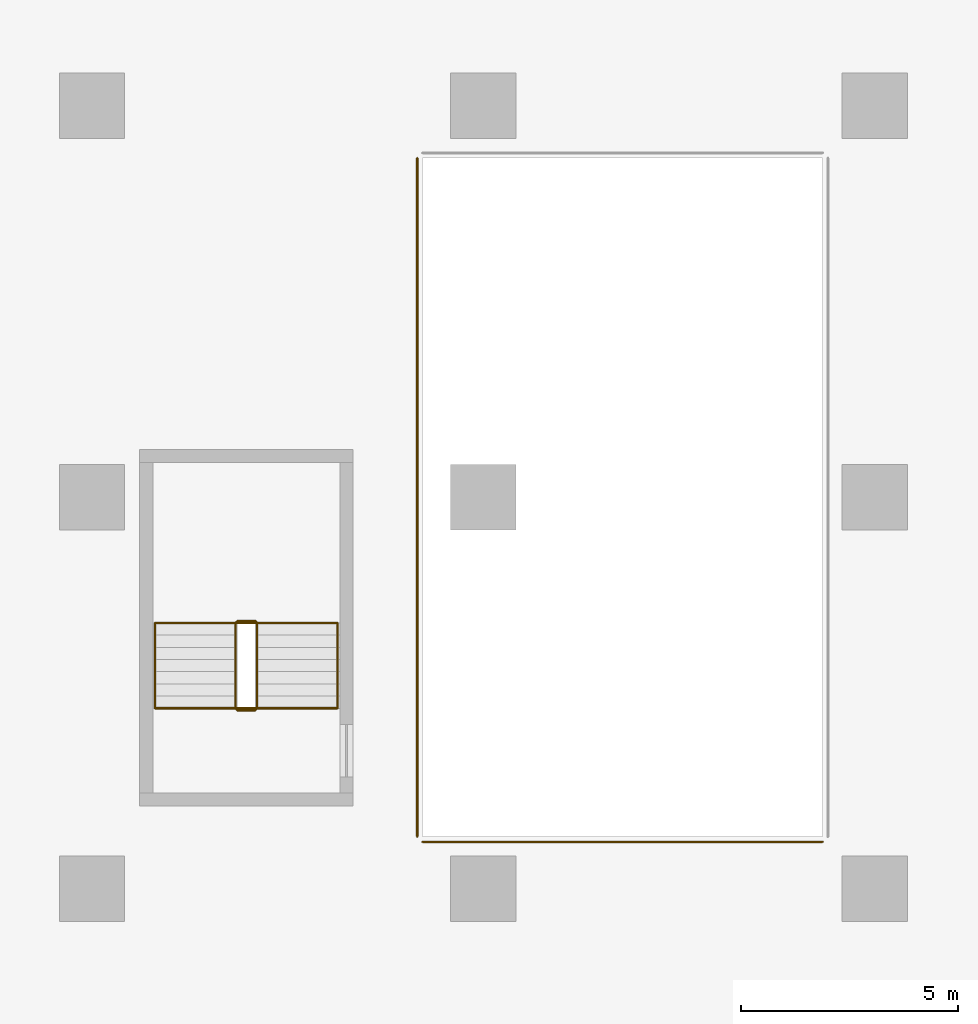
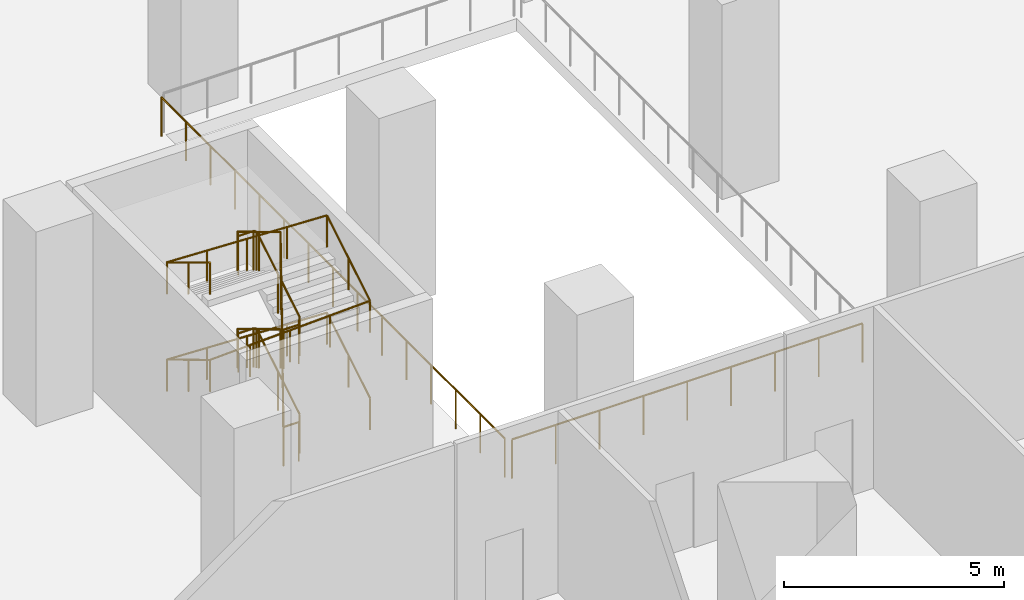
# One storey, part 30 of 43: 4 railings.
"""IFC4 building model written with IfcOpenShell, lengths in metres."""

from ifc_helpers import new_model, si_unit, direction, frame, origin, origin_2d, place, context, subcontext, project, spatial, circle, extrude, material, type_object, element, save


model = new_model("IFC4")

# Units and contexts
model_context = context("Model", 3, precision=1e-05, world=origin(), true_north=direction((0.0, 1.0)))
body_context = subcontext(model_context, "Body", "Model", "MODEL_VIEW")
ifc_project = project(units=[si_unit("LENGTHUNIT", "METRE"), si_unit("AREAUNIT", "SQUARE_METRE"), si_unit("VOLUMEUNIT", "CUBIC_METRE"), si_unit("PLANEANGLEUNIT", "RADIAN"), si_unit("MASSUNIT", "GRAM", prefix="KILO")], contexts=[model_context])

# Site, building, storey
site_placement = place(None, origin())
site = spatial("IfcSite", under=ifc_project, at=site_placement, CompositionType="ELEMENT")
building_placement = place(site_placement, origin())
building = spatial("IfcBuilding", under=site, at=building_placement, Name="Hunhe Ridgeline Campus", CompositionType="ELEMENT")
storey_placement = place(building_placement, frame((0.0, 0.0, 11.39990234375)))
storey = spatial("IfcBuildingStorey", under=building, at=storey_placement, Name="L02", CompositionType="ELEMENT", Elevation=11.39990234375)

# Railings
ifc_material_1 = material(Name="Glass and steel", Category="steel")
railing_type_1 = type_object("IfcRailingType", Name="Atrium glass guard 1100", PredefinedType="GUARDRAIL", material=ifc_material_1)
railing_1_placement = place(storey_placement, frame((25.47998046875, 43.800048828125, 0.0)))
element("IfcRailing", 1, at=railing_1_placement, inside=storey, type_object=railing_type_1, Name="L02 atrium guard", PredefinedType="GUARDRAIL", context=body_context, shape_type="SweptSolid", body=[
    extrude(circle(Radius=0.02392578125, at=origin_2d()), frame((0.0, 0.0, 1.076171875), z_axis=(0.0, -1.0, 0.0), x_axis=(1.0, 0.0, 0.0)), (0.0, 0.0, 1.0), 15.60009765625),
    extrude(circle(Radius=0.02099609375, at=origin_2d()), origin(), (0.0, 0.0, 1.0), 1.052001953125),
    extrude(circle(Radius=0.02099609375, at=origin_2d()), frame((0.0, -1.1142578125, 0.0)), (0.0, 0.0, 1.0), 1.052001953125),
    extrude(circle(Radius=0.02099609375, at=origin_2d()), frame((0.0, -2.228515625, 0.0)), (0.0, 0.0, 1.0), 1.052001953125),
    extrude(circle(Radius=0.02099609375, at=origin_2d()), frame((0.0, -3.3427734375, 0.0)), (0.0, 0.0, 1.0), 1.052001953125),
    extrude(circle(Radius=0.02099609375, at=origin_2d()), frame((0.0, -4.457275390625, 0.0)), (0.0, 0.0, 1.0), 1.052001953125),
    extrude(circle(Radius=0.02099609375, at=origin_2d()), frame((0.0, -5.571533203125, 0.0)), (0.0, 0.0, 1.0), 1.052001953125),
    extrude(circle(Radius=0.02099609375, at=origin_2d()), frame((0.0, -6.685791015625, 0.0)), (0.0, 0.0, 1.0), 1.052001953125),
    extrude(circle(Radius=0.02099609375, at=origin_2d()), frame((0.0, -7.800048828125, 0.0)), (0.0, 0.0, 1.0), 1.052001953125),
    extrude(circle(Radius=0.02099609375, at=origin_2d()), frame((0.0, -8.914306640625, 0.0)), (0.0, 0.0, 1.0), 1.052001953125),
    extrude(circle(Radius=0.02099609375, at=origin_2d()), frame((0.0, -10.028564453125, 0.0)), (0.0, 0.0, 1.0), 1.052001953125),
    extrude(circle(Radius=0.02099609375, at=origin_2d()), frame((0.0, -11.142822265625, 0.0)), (0.0, 0.0, 1.0), 1.052001953125),
    extrude(circle(Radius=0.02099609375, at=origin_2d()), frame((0.0, -12.25732421875, 0.0)), (0.0, 0.0, 1.0), 1.052001953125),
    extrude(circle(Radius=0.02099609375, at=origin_2d()), frame((0.0, -13.37158203125, 0.0)), (0.0, 0.0, 1.0), 1.052001953125),
    extrude(circle(Radius=0.02099609375, at=origin_2d()), frame((0.0, -14.48583984375, 0.0)), (0.0, 0.0, 1.0), 1.052001953125),
    extrude(circle(Radius=0.02099609375, at=origin_2d()), frame((0.0, -15.60009765625, 0.0)), (0.0, 0.0, 1.0), 1.052001953125),
])
railing_2_placement = place(storey_placement, frame((25.60009765625, 28.080078125, 0.0)))
element("IfcRailing", 2, at=railing_2_placement, inside=storey, type_object=railing_type_1, Name="L02 atrium guard", PredefinedType="GUARDRAIL", context=body_context, shape_type="SweptSolid", body=[
    extrude(circle(Radius=0.02392578125, at=origin_2d()), frame((0.0, 0.0, 1.076171875), z_axis=(1.0, 0.0, 0.0), x_axis=(0.0, 1.0, 0.0)), (0.0, 0.0, 1.0), 9.199951171875),
    extrude(circle(Radius=0.02099609375, at=origin_2d()), origin(), (0.0, 0.0, 1.0), 1.052001953125),
    extrude(circle(Radius=0.02099609375, at=origin_2d()), frame((1.14990234375, 0.0, 0.0)), (0.0, 0.0, 1.0), 1.052001953125),
    extrude(circle(Radius=0.02099609375, at=origin_2d()), frame((2.300048828125, 0.0, 0.0)), (0.0, 0.0, 1.0), 1.052001953125),
    extrude(circle(Radius=0.02099609375, at=origin_2d()), frame((3.449951171875, 0.0, 0.0)), (0.0, 0.0, 1.0), 1.052001953125),
    extrude(circle(Radius=0.02099609375, at=origin_2d()), frame((4.60009765625, 0.0, 0.0)), (0.0, 0.0, 1.0), 1.052001953125),
    extrude(circle(Radius=0.02099609375, at=origin_2d()), frame((5.75, 0.0, 0.0)), (0.0, 0.0, 1.0), 1.052001953125),
    extrude(circle(Radius=0.02099609375, at=origin_2d()), frame((6.89990234375, 0.0, 0.0)), (0.0, 0.0, 1.0), 1.052001953125),
    extrude(circle(Radius=0.02099609375, at=origin_2d()), frame((8.050048828125, 0.0, 0.0)), (0.0, 0.0, 1.0), 1.052001953125),
    extrude(circle(Radius=0.02099609375, at=origin_2d()), frame((9.199951171875, 0.0, 0.0)), (0.0, 0.0, 1.0), 1.052001953125),
])
ifc_material_2 = material(Name="Stainless steel balustrade", Category="steel")
railing_type_2 = type_object("IfcRailingType", Name="Stair guard 1100 stainless", PredefinedType="GUARDRAIL", material=ifc_material_2)
railing_3_placement = place(storey_placement, frame((21.800048828125, 31.14990234375, 0.1689453125)))
element("IfcRailing", 3, at=railing_3_placement, inside=storey, type_object=railing_type_2, Name="L02 stair W3 guard", PredefinedType="GUARDRAIL", context=body_context, shape_type="SweptSolid", body=[
    extrude(circle(Radius=0.02392578125, at=origin_2d()), frame((0.0, 0.0, 1.076171875), z_axis=(0.0, 0.856521883693, 0.516110707847), x_axis=(-1.0, 0.0, 0.0)), (0.0, 0.0, 1.0), 2.28857421875),
    extrude(circle(Radius=0.02392578125, at=origin_2d()), frame((0.0, 1.960205078125, 2.25732421875), z_axis=(-0.708833529934, 0.705375805398, 0.0), x_axis=(-0.705375805398, -0.708833529934, 0.0)), (0.0, 0.0, 1.0), 0.070556640625),
    extrude(circle(Radius=0.02392578125, at=origin_2d()), frame((-0.050048828125, 2.010009765625, 2.25732421875), z_axis=(-1.0, 0.0, 0.0), x_axis=(0.0, -1.0, 0.0)), (0.0, 0.0, 1.0), 0.39990234375),
    extrude(circle(Radius=0.02392578125, at=origin_2d()), frame((-0.449951171875, 2.010009765625, 2.25732421875), z_axis=(-0.273668752699, -0.272333783174, 0.922463942026), x_axis=(0.705375805398, -0.708833529934, 0.0)), (0.0, 0.0, 1.0), 0.182861328125),
    extrude(circle(Radius=0.02392578125, at=origin_2d()), frame((-0.5, 1.960205078125, 2.42578125), z_axis=(0.0, -0.856474724393, 0.516188963923), x_axis=(1.0, 0.0, 0.0)), (0.0, 0.0, 1.0), 2.28857421875),
    extrude(circle(Radius=0.02392578125, at=origin_2d()), frame((-0.5, 0.0, 3.607421875), z_axis=(0.708833529934, -0.705375805398, 0.0), x_axis=(0.705375805398, 0.708833529934, 0.0)), (0.0, 0.0, 1.0), 0.070556640625),
    extrude(circle(Radius=0.02392578125, at=origin_2d()), frame((-0.449951171875, -0.0498046875, 3.607421875), z_axis=(1.0, 0.0, 0.0), x_axis=(0.0, 1.0, 0.0)), (0.0, 0.0, 1.0), 0.39990234375),
    extrude(circle(Radius=0.02392578125, at=origin_2d()), frame((-0.050048828125, -0.0498046875, 3.607421875), z_axis=(0.273668752699, 0.272333783174, 0.922463942026), x_axis=(-0.705375805398, 0.708833529934, 0.0)), (0.0, 0.0, 1.0), 0.182861328125),
    extrude(circle(Radius=0.02392578125, at=origin_2d()), frame((0.0, 0.0, 3.77587890625), z_axis=(0.0, 0.856521883693, 0.516110707847), x_axis=(-1.0, 0.0, 0.0)), (0.0, 0.0, 1.0), 2.28857421875),
    extrude(circle(Radius=0.02392578125, at=origin_2d()), frame((0.0, 1.960205078125, 4.95703125), z_axis=(-0.708833529934, 0.705375805398, 0.0), x_axis=(-0.705375805398, -0.708833529934, 0.0)), (0.0, 0.0, 1.0), 0.070556640625),
    extrude(circle(Radius=0.02392578125, at=origin_2d()), frame((-0.050048828125, 2.010009765625, 4.95703125), z_axis=(-1.0, 0.0, 0.0), x_axis=(0.0, -1.0, 0.0)), (0.0, 0.0, 1.0), 0.39990234375),
    extrude(circle(Radius=0.02392578125, at=origin_2d()), frame((-0.449951171875, 2.010009765625, 4.95703125), z_axis=(-0.273668752699, -0.272333783174, 0.922463942026), x_axis=(0.705375805398, -0.708833529934, 0.0)), (0.0, 0.0, 1.0), 0.182861328125),
    extrude(circle(Radius=0.02392578125, at=origin_2d()), frame((-0.5, 1.960205078125, 5.1259765625), z_axis=(0.0, -0.856474724393, 0.516188963923), x_axis=(1.0, 0.0, 0.0)), (0.0, 0.0, 1.0), 2.28857421875),
    extrude(circle(Radius=0.02392578125, at=origin_2d()), frame((-0.5, 0.0, 6.30712890625), z_axis=(0.009267257973, -0.009222051836, -0.999914532192), x_axis=(1.0, 0.0, 0.0)), (0.0, 0.0, 1.0), 5.400634765625),
    extrude(circle(Radius=0.02392578125, at=origin_2d()), frame((-0.449951171875, -0.0498046875, 0.9072265625), z_axis=(1.0, 0.0, 0.0), x_axis=(0.0, 1.0, 0.0)), (0.0, 0.0, 1.0), 0.39990234375),
    extrude(circle(Radius=0.02099609375, at=origin_2d()), origin(), (0.0, 0.0, 1.0), 1.052001953125),
    extrude(circle(Radius=0.02099609375, at=origin_2d()), frame((0.0, 0.97998046875, 0.590576171875)), (0.0, 0.0, 1.0), 1.052001953125),
    extrude(circle(Radius=0.02099609375, at=origin_2d()), frame((0.0, 1.960205078125, 1.18115234375)), (0.0, 0.0, 1.0), 1.052001953125),
    extrude(circle(Radius=0.02099609375, at=origin_2d()), frame((-0.050048828125, 2.010009765625, 1.18115234375)), (0.0, 0.0, 1.0), 1.052001953125),
    extrude(circle(Radius=0.02099609375, at=origin_2d()), frame((-0.449951171875, 2.010009765625, 1.18115234375)), (0.0, 0.0, 1.0), 1.052001953125),
    extrude(circle(Radius=0.02099609375, at=origin_2d()), frame((-0.5, 1.960205078125, 1.349853515625)), (0.0, 0.0, 1.0), 1.052001953125),
    extrude(circle(Radius=0.02099609375, at=origin_2d()), frame((-0.5, 0.97998046875, 1.9404296875)), (0.0, 0.0, 1.0), 1.052001953125),
    extrude(circle(Radius=0.02099609375, at=origin_2d()), frame((-0.5, 0.0, 2.53125)), (0.0, 0.0, 1.0), 1.052001953125),
    extrude(circle(Radius=0.02099609375, at=origin_2d()), frame((-0.449951171875, -0.0498046875, 2.53125)), (0.0, 0.0, 1.0), 1.052001953125),
    extrude(circle(Radius=0.02099609375, at=origin_2d()), frame((-0.050048828125, -0.0498046875, 2.53125)), (0.0, 0.0, 1.0), 1.052001953125),
    extrude(circle(Radius=0.02099609375, at=origin_2d()), frame((0.0, 0.0, 2.699951171875)), (0.0, 0.0, 1.0), 1.052001953125),
    extrude(circle(Radius=0.02099609375, at=origin_2d()), frame((0.0, 0.97998046875, 3.29052734375)), (0.0, 0.0, 1.0), 1.052001953125),
    extrude(circle(Radius=0.02099609375, at=origin_2d()), frame((0.0, 1.960205078125, 3.881103515625)), (0.0, 0.0, 1.0), 1.052001953125),
    extrude(circle(Radius=0.02099609375, at=origin_2d()), frame((-0.050048828125, 2.010009765625, 3.881103515625)), (0.0, 0.0, 1.0), 1.052001953125),
    extrude(circle(Radius=0.02099609375, at=origin_2d()), frame((-0.449951171875, 2.010009765625, 3.881103515625)), (0.0, 0.0, 1.0), 1.052001953125),
    extrude(circle(Radius=0.02099609375, at=origin_2d()), frame((-0.5, 1.960205078125, 4.0498046875)), (0.0, 0.0, 1.0), 1.052001953125),
    extrude(circle(Radius=0.02099609375, at=origin_2d()), frame((-0.5, 0.97998046875, 4.640625)), (0.0, 0.0, 1.0), 1.052001953125),
    extrude(circle(Radius=0.02099609375, at=origin_2d()), frame((-0.5, 0.0, 5.231201171875)), (0.0, 0.0, 1.0), 1.052001953125),
    extrude(circle(Radius=0.02099609375, at=origin_2d()), frame((-0.489990234375, -0.010009765625, 4.151123046875)), (0.0, 0.0, 1.0), 1.052001953125),
    extrude(circle(Radius=0.02099609375, at=origin_2d()), frame((-0.47998046875, -0.02001953125, 3.071044921875)), (0.0, 0.0, 1.0), 1.052001953125),
    extrude(circle(Radius=0.02099609375, at=origin_2d()), frame((-0.469970703125, -0.02978515625, 1.9912109375)), (0.0, 0.0, 1.0), 1.052001953125),
    extrude(circle(Radius=0.02099609375, at=origin_2d()), frame((-0.4599609375, -0.039794921875, 0.9111328125)), (0.0, 0.0, 1.0), 1.052001953125),
    extrude(circle(Radius=0.02099609375, at=origin_2d()), frame((-0.449951171875, -0.0498046875, -0.1689453125)), (0.0, 0.0, 1.0), 1.052001953125),
    extrude(circle(Radius=0.02099609375, at=origin_2d()), frame((-0.050048828125, -0.0498046875, -0.1689453125)), (0.0, 0.0, 1.0), 1.052001953125),
])
ifc_material_3 = material(Name="Stainless steel handrail", Category="steel")
railing_type_3 = type_object("IfcRailingType", Name="Stair handrail 900 stainless", PredefinedType="HANDRAIL", material=ifc_material_3)
railing_4_placement = place(storey_placement, frame((23.64990234375, 31.14990234375, 0.1689453125)))
element("IfcRailing", 4, at=railing_4_placement, inside=storey, type_object=railing_type_3, Name="L02 stair W3 handrail", PredefinedType="HANDRAIL", context=body_context, shape_type="SweptSolid", body=[
    extrude(circle(Radius=0.02392578125, at=origin_2d()), frame((0.0, 0.0, 0.8759765625), z_axis=(0.0, 0.856521883693, 0.516110707847), x_axis=(-1.0, 0.0, 0.0)), (0.0, 0.0, 1.0), 2.28857421875),
    extrude(circle(Radius=0.02392578125, at=origin_2d()), frame((0.0, 1.960205078125, 2.05712890625), z_axis=(-0.999194264342, 0.0, 0.040135048344), x_axis=(0.0, -1.0, 0.0)), (0.0, 0.0, 1.0), 4.203369140625),
    extrude(circle(Radius=0.02392578125, at=origin_2d()), frame((-4.199951171875, 1.960205078125, 2.2255859375), z_axis=(0.0, -0.856474724393, 0.516188963923), x_axis=(1.0, 0.0, 0.0)), (0.0, 0.0, 1.0), 2.28857421875),
    extrude(circle(Radius=0.02392578125, at=origin_2d()), frame((-4.199951171875, 0.0, 3.4072265625), z_axis=(0.999194264342, 0.0, 0.040135048344), x_axis=(0.0, 1.0, 0.0)), (0.0, 0.0, 1.0), 4.203369140625),
    extrude(circle(Radius=0.02392578125, at=origin_2d()), frame((0.0, 0.0, 3.57568359375), z_axis=(0.0, 0.856521883693, 0.516110707847), x_axis=(-1.0, 0.0, 0.0)), (0.0, 0.0, 1.0), 2.28857421875),
    extrude(circle(Radius=0.02392578125, at=origin_2d()), frame((0.0, 1.960205078125, 4.7568359375), z_axis=(-0.999194264342, 0.0, 0.040135048344), x_axis=(0.0, -1.0, 0.0)), (0.0, 0.0, 1.0), 4.203369140625),
    extrude(circle(Radius=0.02392578125, at=origin_2d()), frame((-4.199951171875, 1.960205078125, 4.92578125), z_axis=(0.0, -0.856474724393, 0.516188963923), x_axis=(1.0, 0.0, 0.0)), (0.0, 0.0, 1.0), 2.28857421875),
    extrude(circle(Radius=0.02099609375, at=origin_2d()), origin(), (0.0, 0.0, 1.0), 0.851806640625),
    extrude(circle(Radius=0.02099609375, at=origin_2d()), frame((0.0, 0.97998046875, 0.590576171875)), (0.0, 0.0, 1.0), 0.851806640625),
    extrude(circle(Radius=0.02099609375, at=origin_2d()), frame((0.0, 1.960205078125, 1.18115234375)), (0.0, 0.0, 1.0), 0.851806640625),
    extrude(circle(Radius=0.02099609375, at=origin_2d()), frame((-1.050048828125, 1.960205078125, 1.223388671875)), (0.0, 0.0, 1.0), 0.851806640625),
    extrude(circle(Radius=0.02099609375, at=origin_2d()), frame((-2.10009765625, 1.960205078125, 1.265625)), (0.0, 0.0, 1.0), 0.851806640625),
    extrude(circle(Radius=0.02099609375, at=origin_2d()), frame((-3.14990234375, 1.960205078125, 1.3076171875)), (0.0, 0.0, 1.0), 0.851806640625),
    extrude(circle(Radius=0.02099609375, at=origin_2d()), frame((-4.199951171875, 1.960205078125, 1.349853515625)), (0.0, 0.0, 1.0), 0.851806640625),
    extrude(circle(Radius=0.02099609375, at=origin_2d()), frame((-4.199951171875, 0.97998046875, 1.9404296875)), (0.0, 0.0, 1.0), 0.851806640625),
    extrude(circle(Radius=0.02099609375, at=origin_2d()), frame((-4.199951171875, 0.0, 2.53125)), (0.0, 0.0, 1.0), 0.851806640625),
    extrude(circle(Radius=0.02099609375, at=origin_2d()), frame((-3.14990234375, 0.0, 2.573486328125)), (0.0, 0.0, 1.0), 0.851806640625),
    extrude(circle(Radius=0.02099609375, at=origin_2d()), frame((-2.10009765625, 0.0, 2.61572265625)), (0.0, 0.0, 1.0), 0.851806640625),
    extrude(circle(Radius=0.02099609375, at=origin_2d()), frame((-1.050048828125, 0.0, 2.65771484375)), (0.0, 0.0, 1.0), 0.851806640625),
    extrude(circle(Radius=0.02099609375, at=origin_2d()), frame((0.0, 0.0, 2.699951171875)), (0.0, 0.0, 1.0), 0.851806640625),
    extrude(circle(Radius=0.02099609375, at=origin_2d()), frame((0.0, 0.97998046875, 3.29052734375)), (0.0, 0.0, 1.0), 0.851806640625),
    extrude(circle(Radius=0.02099609375, at=origin_2d()), frame((0.0, 1.960205078125, 3.881103515625)), (0.0, 0.0, 1.0), 0.851806640625),
    extrude(circle(Radius=0.02099609375, at=origin_2d()), frame((-1.050048828125, 1.960205078125, 3.92333984375)), (0.0, 0.0, 1.0), 0.851806640625),
    extrude(circle(Radius=0.02099609375, at=origin_2d()), frame((-2.10009765625, 1.960205078125, 3.96533203125)), (0.0, 0.0, 1.0), 0.851806640625),
    extrude(circle(Radius=0.02099609375, at=origin_2d()), frame((-3.14990234375, 1.960205078125, 4.007568359375)), (0.0, 0.0, 1.0), 0.851806640625),
    extrude(circle(Radius=0.02099609375, at=origin_2d()), frame((-4.199951171875, 1.960205078125, 4.0498046875)), (0.0, 0.0, 1.0), 0.851806640625),
    extrude(circle(Radius=0.02099609375, at=origin_2d()), frame((-4.199951171875, 0.97998046875, 4.640625)), (0.0, 0.0, 1.0), 0.851806640625),
    extrude(circle(Radius=0.02099609375, at=origin_2d()), frame((-4.199951171875, 0.0, 5.231201171875)), (0.0, 0.0, 1.0), 0.851806640625),
])

save(model, "model.ifc")
